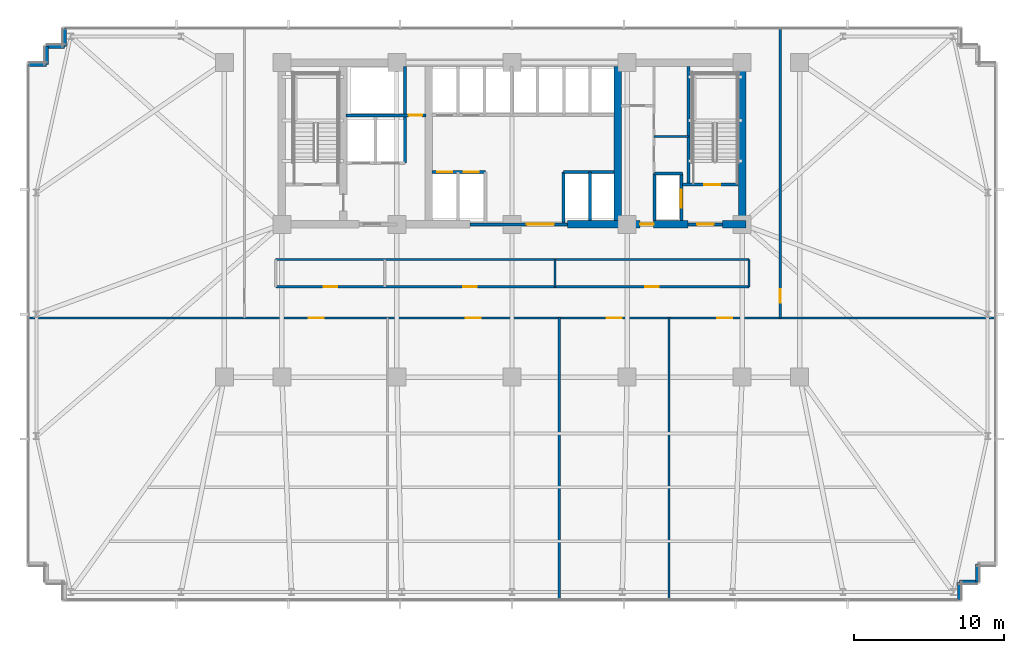
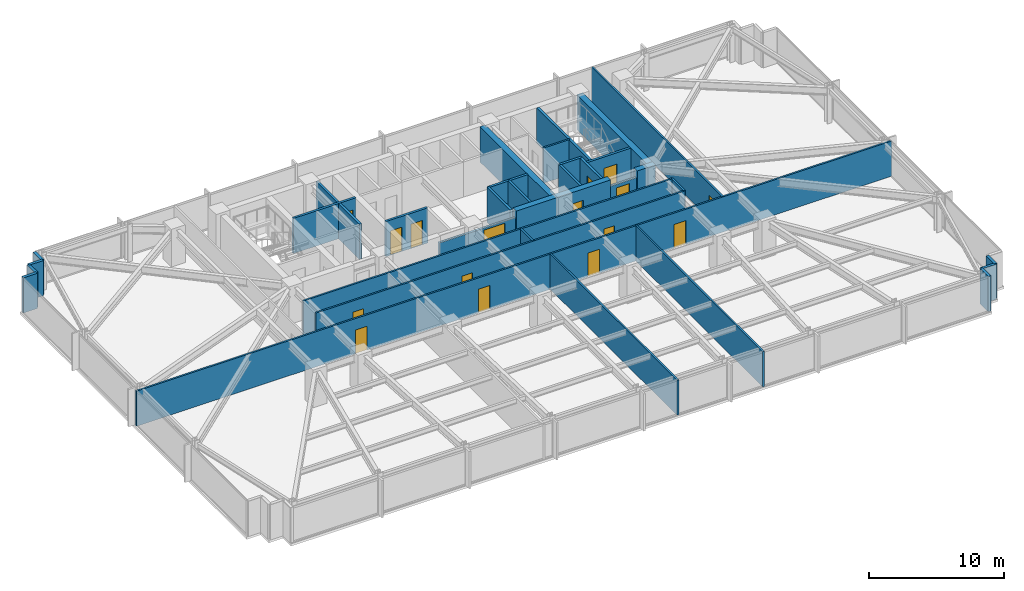
# One storey, part 25 of 32: 33 walls, 16 doors, 16 openings.
"""IFC4 building model written with IfcOpenShell, lengths in metres."""

from ifc_helpers import new_model, si_unit, direction, frame, frame_2d, origin, place, context, subcontext, project, spatial, rectangle, extrude, material, layer, layer_set, type_object, element, fill, save


model = new_model("IFC4")

# Units and contexts
model_context = context("Model", 3, precision=1e-05, world=origin(), true_north=direction((0.0, 1.0)))
body_context = subcontext(model_context, "Body", "Model", "MODEL_VIEW")
ifc_project = project(units=[si_unit("LENGTHUNIT", "METRE"), si_unit("AREAUNIT", "SQUARE_METRE"), si_unit("VOLUMEUNIT", "CUBIC_METRE"), si_unit("PLANEANGLEUNIT", "RADIAN"), si_unit("MASSUNIT", "GRAM", prefix="KILO")], contexts=[model_context])

# Site, building, storey
site_placement = place(None, origin())
site = spatial("IfcSite", under=ifc_project, at=site_placement, CompositionType="ELEMENT")
building_placement = place(site_placement, origin())
building = spatial("IfcBuilding", under=site, at=building_placement, Name="Yelkora Congress Tower", CompositionType="ELEMENT")
storey_placement = place(building_placement, frame((0.0, 0.0, 67.800048828125)))
storey = spatial("IfcBuildingStorey", under=building, at=storey_placement, Name="L17", CompositionType="ELEMENT", Elevation=67.800048828125)

# Wall
ifc_material_1 = material(Name="Concrete C50/60", Category="concrete")
ifc_layer_1 = layer(ifc_material_1, 0.219970703125)
ifc_layer_set_1 = layer_set([ifc_layer_1], Name="Concrete C50/60")
wall_type_1 = type_object("IfcWallType", Name="WALL-CORE-INT-220", PredefinedType="SHEAR", material=ifc_layer_set_1)
wall_1_placement = place(storey_placement, frame((50.179931640625, 38.050048828125, 0.0), z_axis=(0.0, 0.0, 1.0), x_axis=(0.0, 1.0, 0.0)))
element("IfcWall", 1, at=wall_1_placement, inside=storey, type_object=wall_type_1, Name="L17 ST02 West Stair Shear Wall", PredefinedType="SHEAR", context=body_context, shape_type="SweptSolid", body=[
    extrude(rectangle(XDim=7.89990234375, YDim=0.219970703125, at=frame_2d((3.949951171875, 0.0))), origin(), (0.0, 0.0, 1.0), 3.179931640625),
])

# Wall, opening, door
ifc_material_2 = material(Name="Concrete C60/75", Category="concrete")
ifc_layer_2 = layer(ifc_material_2, 0.5)
ifc_layer_set_2 = layer_set([ifc_layer_2], Name="Concrete C60/75")
wall_type_2 = type_object("IfcWallType", Name="WALL-CORE-INT-500", PredefinedType="SHEAR", material=ifc_layer_set_2)
wall_2_placement = place(storey_placement, frame((42.10009765625, 35.39990234375, 0.0), z_axis=(0.0, 0.0, 1.0), x_axis=(1.0, 0.0, 0.0)))
wall_2 = element("IfcWall", 2, at=wall_2_placement, inside=storey, type_object=wall_type_2, Name="L17 Rear Core South-East Shear Wall A", PredefinedType="SHEAR", context=body_context, shape_type="SweptSolid", body=[
    extrude(rectangle(XDim=8.0498046875, YDim=0.5, at=frame_2d((4.02490234375, 0.0))), origin(), (0.0, 0.0, 1.0), 3.179931640625),
])
opening_1_placement = place(wall_2_placement, frame((4.85009765625, 0.0, 0.0)))
opening_1 = element("IfcOpeningElement", 3, at=opening_1_placement, cuts=wall_2, Name="Opening DR-090F6", PredefinedType="OPENING", context=body_context, shape_type="SweptSolid", body=[
    extrude(rectangle(XDim=0.89990234375, YDim=2.14990234375, at=frame_2d((0.449951171875, 1.074951171875))), frame((0.0, 0.260009765625, 0.0), z_axis=(0.0, -1.0, 0.0), x_axis=(1.0, 0.0, 0.0)), (0.0, 0.0, 1.0), 0.52001953125),
])
ifc_material_3 = material(Name="Painted steel riser fire door leaf", Category="steel")
door_type_1 = type_object("IfcDoorType", Name="DOOR-FD60-900", OperationType="NOTDEFINED", PredefinedType="DOOR", material=ifc_material_3)
door_1_placement = place(opening_1_placement, origin())
door_1 = element("IfcDoor", 4, at=door_1_placement, inside=storey, type_object=door_type_1, Name="L17 Core Washroom Lobby Door", OperationType="SINGLE_SWING_RIGHT", OverallHeight=2.14990234375, OverallWidth=0.89990234375, PredefinedType="DOOR", context=body_context, shape_type="SweptSolid", body=[
    extrude(rectangle(XDim=0.89990234375, YDim=2.14990234375, at=frame_2d((0.449951171875, 1.074951171875))), frame((0.0, 0.02490234375, 0.0), z_axis=(0.0, -1.0, 0.0), x_axis=(1.0, 0.0, 0.0)), (0.0, 0.0, 1.0), 0.050048828125),
])
fill(opening_1, door_1)

# Walls
wall_3_placement = place(storey_placement, frame((52.449951171875, 35.39990234375, 0.0), z_axis=(0.0, 0.0, 1.0), x_axis=(1.0, 0.0, 0.0)))
element("IfcWall", 5, at=wall_3_placement, inside=storey, type_object=wall_type_2, Name="L17 Rear Core South-East Shear Wall B", PredefinedType="SHEAR", context=body_context, shape_type="SweptSolid", body=[
    extrude(rectangle(XDim=1.56005859375, YDim=0.5, at=frame_2d((0.780029296875, 0.0))), origin(), (0.0, 0.0, 1.0), 3.179931640625),
])
for number, where, z_axis, x_axis, name in (
    (6, (45.449951171875, 35.64990234375, 0.0), (0.0, 0.0, 1.0), (0.0, 1.0, 0.0), "L17 Rear Core Cross Shear Wall C3"),
    (7, (53.760009765625, 35.64990234375, 0.0), (0.0, 0.0, 1.0), (0.0, 1.0, 0.0), "L17 Rear Core Cross Shear Wall E"),
):
    element("IfcWall", number, at=place(storey_placement, frame(where, z_axis=z_axis, x_axis=x_axis)), inside=storey, type_object=wall_type_2, Name=name, PredefinedType="SHEAR", context=body_context, shape_type="SweptSolid", body=[
        extrude(rectangle(XDim=10.300048828125, YDim=0.5, at=frame_2d((5.14990234375, 0.0))), origin(), (0.0, 0.0, 1.0), 3.179931640625),
    ])
ifc_material_4 = material(Name="Concrete C40/50", Category="concrete")
ifc_layer_3 = layer(ifc_material_4, 0.239990234375)
ifc_layer_set_3 = layer_set([ifc_layer_3], Name="Concrete C40/50")
wall_type_3 = type_object("IfcWallType", Name="WALL-EXT-LIMESTONE-240", PredefinedType="SOLIDWALL", material=ifc_layer_set_3)
wall_4_placement = place(storey_placement, frame((6.139892578125, 46.06005859375, 0.0), z_axis=(0.0, 0.0, 1.0), x_axis=(1.0, 0.0, 0.0)))
element("IfcWall", 8, at=wall_4_placement, inside=storey, type_object=wall_type_3, Name="L17 Serrated Corner Limestone Pier 6", PredefinedType="SOLIDWALL", context=body_context, shape_type="SweptSolid", body=[
    extrude(rectangle(XDim=1.2001953125, YDim=0.239990234375, at=frame_2d((0.60009765625, 0.0))), origin(), (0.0, 0.0, 1.0), 3.179931640625),
])
for number, where, z_axis, x_axis, name in (
    (9, (7.340087890625, 46.06005859375, 0.0), (0.0, 0.0, 1.0), (0.0, 1.0, 0.0), "L17 Serrated Corner Limestone Pier 7"),
    (10, (7.340087890625, 47.260009765625, 0.0), (0.0, 0.0, 1.0), (1.0, 0.0, 0.0), "L17 Serrated Corner Limestone Pier 8"),
    (11, (8.5400390625, 47.260009765625, 0.0), (0.0, 0.0, 1.0), (0.0, 1.0, 0.0), "L17 Serrated Corner Limestone Pier 9"),
    (12, (69.4599609375, 12.739990234375, 0.0), (0.0, 0.0, 1.0), (0.0, -1.0, 0.0), "L17 Serrated Corner Limestone Pier 17"),
    (13, (69.4599609375, 11.5400390625, 0.0), (0.0, 0.0, 1.0), (-1.0, 0.0, 0.0), "L17 Serrated Corner Limestone Pier 18"),
    (14, (68.260009765625, 11.5400390625, 0.0), (0.0, 0.0, 1.0), (0.0, -1.0, 0.0), "L17 Serrated Corner Limestone Pier 19"),
):
    element("IfcWall", number, at=place(storey_placement, frame(where, z_axis=z_axis, x_axis=x_axis)), inside=storey, type_object=wall_type_3, Name=name, PredefinedType="SOLIDWALL", context=body_context, shape_type="SweptSolid", body=[
        extrude(rectangle(XDim=1.199951171875, YDim=0.239990234375, at=frame_2d((0.60009765625, 0.0))), origin(), (0.0, 0.0, 1.0), 3.179931640625),
    ])
ifc_material_5 = material(Name="Acoustic metal-stud gypsum partition", Category="gypsum")
ifc_layer_4 = layer(ifc_material_5, 0.14990234375)
ifc_layer_set_4 = layer_set([ifc_layer_4], Name="Acoustic metal-stud gypsum partition")
wall_type_4 = type_object("IfcWallType", Name="WALL-INT-150-NR", PredefinedType="PARTITIONING", material=ifc_layer_set_4)
wall_5_placement = place(storey_placement, frame((47.8798828125, 41.260009765625, 0.0), z_axis=(0.0, 0.0, 1.0), x_axis=(1.0, 0.0, 0.0)))
element("IfcWall", 15, at=wall_5_placement, inside=storey, type_object=wall_type_4, Name="L17 Partition Wall 29", PredefinedType="PARTITIONING", context=body_context, shape_type="SweptSolid", body=[
    extrude(rectangle(XDim=2.300048828125, YDim=0.14990234375, at=frame_2d((1.14990234375, 0.0))), origin(), (0.0, 0.0, 1.0), 3.179931640625),
])
for number, where, z_axis, x_axis, name in (
    (16, (41.55810546875, 10.280029296875, 0.0), (0.0, 0.0, 1.0), (0.0, 1.0, 0.0), "L17 Partition Wall 32"),
    (17, (48.883056640625, 10.280029296875, 0.0), (0.0, 0.0, 1.0), (0.0, 1.0, 0.0), "L17 Partition Wall 33"),
):
    element("IfcWall", number, at=place(storey_placement, frame(where, z_axis=z_axis, x_axis=x_axis)), inside=storey, type_object=wall_type_4, Name=name, PredefinedType="PARTITIONING", context=body_context, shape_type="SweptSolid", body=[
        extrude(rectangle(XDim=18.889892578125, YDim=0.14990234375, at=frame_2d((9.44482421875, 0.0))), origin(), (0.0, 0.0, 1.0), 3.179931640625),
    ])

# Wall, openings, doors
wall_6_placement = place(storey_placement, frame((6.080078125, 29.14990234375, 0.0), z_axis=(0.0, 0.0, 1.0), x_axis=(1.0, 0.0, 0.0)))
wall_6 = element("IfcWall", 18, at=wall_6_placement, inside=storey, type_object=wall_type_4, Name="L17 South Spine Wall", PredefinedType="PARTITIONING", context=body_context, shape_type="SweptSolid", body=[
    extrude(rectangle(XDim=64.639892578125, YDim=0.14990234375, at=frame_2d((32.31982421875, 0.0))), origin(), (0.0, 0.0, 1.0), 3.179931640625),
])
opening_2_placement = place(wall_6_placement, frame((18.740966796875, 0.0, 0.0)))
opening_2 = element("IfcOpeningElement", 19, at=opening_2_placement, cuts=wall_6, Name="Opening DR-100N", PredefinedType="OPENING", context=body_context, shape_type="SweptSolid", body=[
    extrude(rectangle(XDim=1.0, YDim=2.14990234375, at=frame_2d((0.5, 1.074951171875))), frame((0.0, 0.0849609375, 0.0), z_axis=(0.0, -1.0, 0.0), x_axis=(1.0, 0.0, 0.0)), (0.0, 0.0, 1.0), 0.169921875),
])
opening_3_placement = place(wall_6_placement, frame((29.2451171875, 0.0, 0.0)))
opening_3 = element("IfcOpeningElement", 20, at=opening_3_placement, cuts=wall_6, Name="Opening DR-100N", PredefinedType="OPENING", context=body_context, shape_type="SweptSolid", body=[
    extrude(rectangle(XDim=1.0, YDim=2.14990234375, at=frame_2d((0.5, 1.074951171875))), frame((0.0, 0.0849609375, 0.0), z_axis=(0.0, -1.0, 0.0), x_axis=(1.0, 0.0, 0.0)), (0.0, 0.0, 1.0), 0.169921875),
])
opening_4_placement = place(wall_6_placement, frame((38.640380859375, 0.0, 0.0)))
opening_4 = element("IfcOpeningElement", 21, at=opening_4_placement, cuts=wall_6, Name="Opening DR-100N", PredefinedType="OPENING", context=body_context, shape_type="SweptSolid", body=[
    extrude(rectangle(XDim=1.0, YDim=2.14990234375, at=frame_2d((0.5, 1.074951171875))), frame((0.0, 0.0849609375, 0.0), z_axis=(0.0, -1.0, 0.0), x_axis=(1.0, 0.0, 0.0)), (0.0, 0.0, 1.0), 0.169921875),
])
opening_5_placement = place(wall_6_placement, frame((46.011474609375, 0.0, 0.0)))
opening_5 = element("IfcOpeningElement", 22, at=opening_5_placement, cuts=wall_6, Name="Opening DR-100N", PredefinedType="OPENING", context=body_context, shape_type="SweptSolid", body=[
    extrude(rectangle(XDim=1.0, YDim=2.14990234375, at=frame_2d((0.5, 1.074951171875))), frame((0.0, 0.0849609375, 0.0), z_axis=(0.0, -1.0, 0.0), x_axis=(1.0, 0.0, 0.0)), (0.0, 0.0, 1.0), 0.169921875),
])
ifc_material_6 = material(Name="Solid-core Anatolian oak veneer door", Category="wood")
door_type_2 = type_object("IfcDoorType", Name="DOOR-INT-1000", OperationType="NOTDEFINED", PredefinedType="DOOR", material=ifc_material_6)
door_2_placement = place(opening_2_placement, origin())
door_2 = element("IfcDoor", 23, at=door_2_placement, inside=storey, type_object=door_type_2, Name="L17 Delegate Office Suite Door", OperationType="SINGLE_SWING_LEFT", OverallHeight=2.14990234375, OverallWidth=1.0, PredefinedType="DOOR", context=body_context, shape_type="SweptSolid", body=[
    extrude(rectangle(XDim=1.0, YDim=2.14990234375, at=frame_2d((0.5, 1.074951171875))), frame((0.0, 0.02490234375, 0.0), z_axis=(0.0, -1.0, 0.0), x_axis=(1.0, 0.0, 0.0)), (0.0, 0.0, 1.0), 0.050048828125),
])
fill(opening_2, door_2)
door_3_placement = place(opening_3_placement, origin())
door_3 = element("IfcDoor", 24, at=door_3_placement, inside=storey, type_object=door_type_2, Name="L17 Committee Meeting Room Door", OperationType="SINGLE_SWING_RIGHT", OverallHeight=2.14990234375, OverallWidth=1.0, PredefinedType="DOOR", context=body_context, shape_type="SweptSolid", body=[
    extrude(rectangle(XDim=1.0, YDim=2.14990234375, at=frame_2d((0.5, 1.074951171875))), frame((0.0, 0.02490234375, 0.0), z_axis=(0.0, -1.0, 0.0), x_axis=(1.0, 0.0, 0.0)), (0.0, 0.0, 1.0), 0.050048828125),
])
fill(opening_3, door_3)
door_4_placement = place(opening_4_placement, origin())
door_4 = element("IfcDoor", 25, at=door_4_placement, inside=storey, type_object=door_type_2, Name="L17 Committee Meeting Room Door", OperationType="SINGLE_SWING_LEFT", OverallHeight=2.14990234375, OverallWidth=1.0, PredefinedType="DOOR", context=body_context, shape_type="SweptSolid", body=[
    extrude(rectangle(XDim=1.0, YDim=2.14990234375, at=frame_2d((0.5, 1.074951171875))), frame((0.0, 0.02490234375, 0.0), z_axis=(0.0, -1.0, 0.0), x_axis=(1.0, 0.0, 0.0)), (0.0, 0.0, 1.0), 0.050048828125),
])
fill(opening_4, door_4)
door_5_placement = place(opening_5_placement, origin())
door_5 = element("IfcDoor", 26, at=door_5_placement, inside=storey, type_object=door_type_2, Name="L17 Committee Meeting Room Door", OperationType="SINGLE_SWING_RIGHT", OverallHeight=2.14990234375, OverallWidth=1.0, PredefinedType="DOOR", context=body_context, shape_type="SweptSolid", body=[
    extrude(rectangle(XDim=1.0, YDim=2.14990234375, at=frame_2d((0.5, 1.074951171875))), frame((0.0, 0.02490234375, 0.0), z_axis=(0.0, -1.0, 0.0), x_axis=(1.0, 0.0, 0.0)), (0.0, 0.0, 1.0), 0.050048828125),
])
fill(opening_5, door_5)

# Wall, opening, door
wall_7_placement = place(storey_placement, frame((56.300048828125, 29.14990234375, 0.0), z_axis=(0.0, 0.0, 1.0), x_axis=(0.0, 1.0, 0.0)))
wall_7 = element("IfcWall", 27, at=wall_7_placement, inside=storey, type_object=wall_type_4, Name="L17 Partition Wall 36", PredefinedType="PARTITIONING", context=body_context, shape_type="SweptSolid", body=[
    extrude(rectangle(XDim=19.3701171875, YDim=0.14990234375, at=frame_2d((9.68505859375, 0.0))), origin(), (0.0, 0.0, 1.0), 3.179931640625),
])
opening_6_placement = place(wall_7_placement, frame((1.030029296875, 0.0, 0.0)))
opening_6 = element("IfcOpeningElement", 28, at=opening_6_placement, cuts=wall_7, Name="Opening DR-090N", PredefinedType="OPENING", context=body_context, shape_type="SweptSolid", body=[
    extrude(rectangle(XDim=0.89990234375, YDim=2.14990234375, at=frame_2d((0.449951171875, 1.074951171875))), frame((0.0, 0.0849609375, 0.0), z_axis=(0.0, -1.0, 0.0), x_axis=(1.0, 0.0, 0.0)), (0.0, 0.0, 1.0), 0.169921875),
])
ifc_material_7 = material(Name="Moisture-resistant laminate door leaf", Category="wood")
door_type_3 = type_object("IfcDoorType", Name="DOOR-INT-900", OperationType="NOTDEFINED", PredefinedType="DOOR", material=ifc_material_7)
door_6_placement = place(opening_6_placement, origin())
door_6 = element("IfcDoor", 29, at=door_6_placement, inside=storey, type_object=door_type_3, Name="L17 E Wing Door", OperationType="SINGLE_SWING_RIGHT", OverallHeight=2.14990234375, OverallWidth=0.89990234375, PredefinedType="DOOR", context=body_context, shape_type="SweptSolid", body=[
    extrude(rectangle(XDim=0.89990234375, YDim=2.14990234375, at=frame_2d((0.449951171875, 1.074951171875))), frame((0.0, 0.02490234375, 0.0), z_axis=(0.0, -1.0, 0.0), x_axis=(1.0, 0.0, 0.0)), (0.0, 0.0, 1.0), 0.050048828125),
])
fill(opening_6, door_6)

# Walls
wall_8_placement = place(storey_placement, frame((54.219970703125, 31.22998046875, 0.0), z_axis=(0.0, 0.0, 1.0), x_axis=(0.0, 1.0, 0.0)))
element("IfcWall", 30, at=wall_8_placement, inside=storey, type_object=wall_type_4, Name="L17 Partition Wall 38", PredefinedType="PARTITIONING", context=body_context, shape_type="SweptSolid", body=[
    extrude(rectangle(XDim=1.820068359375, YDim=0.14990234375, at=frame_2d((0.91015625, 0.0))), origin(), (0.0, 0.0, 1.0), 3.179931640625),
])
wall_9_placement = place(storey_placement, frame((22.6298828125, 33.050048828125, 0.0), z_axis=(0.0, 0.0, 1.0), x_axis=(1.0, 0.0, 0.0)))
element("IfcWall", 31, at=wall_9_placement, inside=storey, type_object=wall_type_4, Name="L17 Partition Wall 39", PredefinedType="PARTITIONING", context=body_context, shape_type="SweptSolid", body=[
    extrude(rectangle(XDim=31.590087890625, YDim=0.14990234375, at=frame_2d((15.794921875, 0.0))), origin(), (0.0, 0.0, 1.0), 3.179931640625),
])
wall_10_placement = place(storey_placement, frame((41.26611328125, 31.22998046875, 0.0), z_axis=(0.0, 0.0, 1.0), x_axis=(0.0, 1.0, 0.0)))
element("IfcWall", 32, at=wall_10_placement, inside=storey, type_object=wall_type_4, Name="L17 Partition Wall 41", PredefinedType="PARTITIONING", context=body_context, shape_type="SweptSolid", body=[
    extrude(rectangle(XDim=1.820068359375, YDim=0.14990234375, at=frame_2d((0.91015625, 0.0))), origin(), (0.0, 0.0, 1.0), 3.179931640625),
])

# Wall, openings, doors
wall_11_placement = place(storey_placement, frame((22.639892578125, 31.22998046875, 0.0), z_axis=(0.0, 0.0, 1.0), x_axis=(1.0, 0.0, 0.0)))
wall_11 = element("IfcWall", 33, at=wall_11_placement, inside=storey, type_object=wall_type_4, Name="L17 Partition Wall 42", PredefinedType="PARTITIONING", context=body_context, shape_type="SweptSolid", body=[
    extrude(rectangle(XDim=31.570068359375, YDim=0.14990234375, at=frame_2d((15.78515625, 0.0))), origin(), (0.0, 0.0, 1.0), 3.179931640625),
])
opening_7_placement = place(wall_11_placement, frame((3.180419921875, 0.0, 0.0)))
opening_7 = element("IfcOpeningElement", 34, at=opening_7_placement, cuts=wall_11, Name="Opening DR-090N", PredefinedType="OPENING", context=body_context, shape_type="SweptSolid", body=[
    extrude(rectangle(XDim=0.89990234375, YDim=2.14990234375, at=frame_2d((0.449951171875, 1.074951171875))), frame((0.0, 0.0849609375, 0.0), z_axis=(0.0, -1.0, 0.0), x_axis=(1.0, 0.0, 0.0)), (0.0, 0.0, 1.0), 0.169921875),
])
opening_8_placement = place(wall_11_placement, frame((12.493408203125, 0.0, 0.0)))
opening_8 = element("IfcOpeningElement", 35, at=opening_8_placement, cuts=wall_11, Name="Opening DR-090N", PredefinedType="OPENING", context=body_context, shape_type="SweptSolid", body=[
    extrude(rectangle(XDim=0.89990234375, YDim=2.14990234375, at=frame_2d((0.449951171875, 1.074951171875))), frame((0.0, 0.0849609375, 0.0), z_axis=(0.0, -1.0, 0.0), x_axis=(1.0, 0.0, 0.0)), (0.0, 0.0, 1.0), 0.169921875),
])
opening_9_placement = place(wall_11_placement, frame((24.64794921875, 0.0, 0.0)))
opening_9 = element("IfcOpeningElement", 36, at=opening_9_placement, cuts=wall_11, Name="Opening DR-090N", PredefinedType="OPENING", context=body_context, shape_type="SweptSolid", body=[
    extrude(rectangle(XDim=0.89990234375, YDim=2.14990234375, at=frame_2d((0.449951171875, 1.074951171875))), frame((0.0, 0.0849609375, 0.0), z_axis=(0.0, -1.0, 0.0), x_axis=(1.0, 0.0, 0.0)), (0.0, 0.0, 1.0), 0.169921875),
])
door_7_placement = place(opening_7_placement, origin())
door_7 = element("IfcDoor", 37, at=door_7_placement, inside=storey, type_object=door_type_3, Name="L17 Security Control Room Door", OperationType="SINGLE_SWING_LEFT", OverallHeight=2.14990234375, OverallWidth=0.89990234375, PredefinedType="DOOR", context=body_context, shape_type="SweptSolid", body=[
    extrude(rectangle(XDim=0.89990234375, YDim=2.14990234375, at=frame_2d((0.449951171875, 1.074951171875))), frame((0.0, 0.02490234375, 0.0), z_axis=(0.0, -1.0, 0.0), x_axis=(1.0, 0.0, 0.0)), (0.0, 0.0, 1.0), 0.050048828125),
])
fill(opening_7, door_7)
door_8_placement = place(opening_8_placement, origin())
door_8 = element("IfcDoor", 38, at=door_8_placement, inside=storey, type_object=door_type_3, Name="L17 Hospitality Pantry Door", OperationType="SINGLE_SWING_RIGHT", OverallHeight=2.14990234375, OverallWidth=0.89990234375, PredefinedType="DOOR", context=body_context, shape_type="SweptSolid", body=[
    extrude(rectangle(XDim=0.89990234375, YDim=2.14990234375, at=frame_2d((0.449951171875, 1.074951171875))), frame((0.0, 0.02490234375, 0.0), z_axis=(0.0, -1.0, 0.0), x_axis=(1.0, 0.0, 0.0)), (0.0, 0.0, 1.0), 0.050048828125),
])
fill(opening_8, door_8)
door_9_placement = place(opening_9_placement, origin())
door_9 = element("IfcDoor", 39, at=door_9_placement, inside=storey, type_object=door_type_3, Name="L17 Staff Operations Room Door", OperationType="SINGLE_SWING_LEFT", OverallHeight=2.14990234375, OverallWidth=0.89990234375, PredefinedType="DOOR", context=body_context, shape_type="SweptSolid", body=[
    extrude(rectangle(XDim=0.89990234375, YDim=2.14990234375, at=frame_2d((0.449951171875, 1.074951171875))), frame((0.0, 0.02490234375, 0.0), z_axis=(0.0, -1.0, 0.0), x_axis=(1.0, 0.0, 0.0)), (0.0, 0.0, 1.0), 0.050048828125),
])
fill(opening_9, door_9)

# Wall
ifc_material_8 = material(Name="Autoclaved aerated concrete blockwork", Category="masonry")
ifc_layer_5 = layer(ifc_material_8, 0.199951171875)
ifc_layer_set_5 = layer_set([ifc_layer_5], Name="Autoclaved aerated concrete blockwork")
wall_type_5 = type_object("IfcWallType", Name="WALL-INT-200-R120", PredefinedType="PARTITIONING", material=ifc_layer_set_5)
wall_12_placement = place(storey_placement, frame((31.260009765625, 39.47998046875, 0.0), z_axis=(0.0, 0.0, 1.0), x_axis=(0.0, 1.0, 0.0)))
element("IfcWall", 40, at=wall_12_placement, inside=storey, type_object=wall_type_5, Name="L17 Partition Wall 5", PredefinedType="PARTITIONING", context=body_context, shape_type="SweptSolid", body=[
    extrude(rectangle(XDim=6.43994140625, YDim=0.199951171875, at=frame_2d((3.219970703125, 0.0))), origin(), (0.0, 0.0, 1.0), 3.179931640625),
])

# Wall, opening, door
wall_13_placement = place(storey_placement, frame((27.320068359375, 42.679931640625, 0.0), z_axis=(0.0, 0.0, 1.0), x_axis=(1.0, 0.0, 0.0)))
wall_13 = element("IfcWall", 41, at=wall_13_placement, inside=storey, type_object=wall_type_5, Name="L17 Smoke Riser South Wall", PredefinedType="PARTITIONING", context=body_context, shape_type="SweptSolid", body=[
    extrude(rectangle(XDim=5.329833984375, YDim=0.199951171875, at=frame_2d((2.6650390625, 0.0))), origin(), (0.0, 0.0, 1.0), 3.179931640625),
])
opening_10_placement = place(wall_13_placement, frame((4.179931640625, 0.0, 0.0)))
opening_10 = element("IfcOpeningElement", 42, at=opening_10_placement, cuts=wall_13, Name="Opening DR-090F6", PredefinedType="OPENING", context=body_context, shape_type="SweptSolid", body=[
    extrude(rectangle(XDim=0.89990234375, YDim=2.14990234375, at=frame_2d((0.449951171875, 1.074951171875))), frame((0.0, 0.10986328125, 0.0), z_axis=(0.0, -1.0, 0.0), x_axis=(1.0, 0.0, 0.0)), (0.0, 0.0, 1.0), 0.219970703125),
])
door_10_placement = place(opening_10_placement, origin())
door_10 = element("IfcDoor", 43, at=door_10_placement, inside=storey, type_object=door_type_1, Name="L17 Riser Access Door", OperationType="SINGLE_SWING_LEFT", OverallHeight=2.14990234375, OverallWidth=0.89990234375, PredefinedType="DOOR", context=body_context, shape_type="SweptSolid", body=[
    extrude(rectangle(XDim=0.89990234375, YDim=2.14990234375, at=frame_2d((0.449951171875, 1.074951171875))), frame((0.0, 0.02490234375, 0.0), z_axis=(0.0, -1.0, 0.0), x_axis=(1.0, 0.0, 0.0)), (0.0, 0.0, 1.0), 0.050048828125),
])
fill(opening_10, door_10)

wall_14_placement = place(storey_placement, frame((35.60009765625, 35.39990234375, 0.0), z_axis=(0.0, 0.0, 1.0), x_axis=(1.0, 0.0, 0.0)))
wall_14 = element("IfcWall", 44, at=wall_14_placement, inside=storey, type_object=wall_type_5, Name="L17 Main Lift Lobby South Portal Wall", PredefinedType="PARTITIONING", context=body_context, shape_type="SweptSolid", body=[
    extrude(rectangle(XDim=6.5, YDim=0.199951171875, at=frame_2d((3.25, 0.0))), origin(), (0.0, 0.0, 1.0), 2.474853515625),
])
opening_11_placement = place(wall_14_placement, frame((3.800048828125, 0.0, 0.0)))
opening_11 = element("IfcOpeningElement", 45, at=opening_11_placement, cuts=wall_14, Name="Opening DR-180D", PredefinedType="OPENING", context=body_context, shape_type="SweptSolid", body=[
    extrude(rectangle(XDim=1.800048828125, YDim=2.300048828125, at=frame_2d((0.89990234375, 1.14990234375))), frame((0.0, 0.10986328125, 0.0), z_axis=(0.0, -1.0, 0.0), x_axis=(1.0, 0.0, 0.0)), (0.0, 0.0, 1.0), 0.219970703125),
])
ifc_material_9 = material(Name="Acoustic double congress hall doors", Category="wood")
door_type_4 = type_object("IfcDoorType", Name="DOOR-DBL-1800", OperationType="DOUBLE_DOOR_SINGLE_SWING", PredefinedType="DOOR", material=ifc_material_9)
door_11_placement = place(opening_11_placement, origin())
door_11 = element("IfcDoor", 46, at=door_11_placement, inside=storey, type_object=door_type_4, Name="L17 Main Lift Lobby Portal Door", OperationType="DOUBLE_DOOR_SINGLE_SWING", OverallHeight=2.300048828125, OverallWidth=1.800048828125, PredefinedType="DOOR", context=body_context, shape_type="SweptSolid", body=[
    extrude(rectangle(XDim=1.800048828125, YDim=2.300048828125, at=frame_2d((0.89990234375, 1.14990234375))), frame((0.0, 0.02490234375, 0.0), z_axis=(0.0, -1.0, 0.0), x_axis=(1.0, 0.0, 0.0)), (0.0, 0.0, 1.0), 0.050048828125),
])
fill(opening_11, door_11)

# Wall, openings, doors
wall_15_placement = place(storey_placement, frame((33.050048828125, 38.89990234375, 0.0), z_axis=(0.0, 0.0, 1.0), x_axis=(1.0, 0.0, 0.0)))
wall_15 = element("IfcWall", 47, at=wall_15_placement, inside=storey, type_object=wall_type_5, Name="L17 Partition Wall 11", PredefinedType="PARTITIONING", context=body_context, shape_type="SweptSolid", body=[
    extrude(rectangle(XDim=3.570068359375, YDim=0.199951171875, at=frame_2d((1.78515625, 0.0))), origin(), (0.0, 0.0, 1.0), 3.179931640625),
])
opening_12_placement = place(wall_15_placement, frame((0.375, 0.0, 0.0)))
opening_12 = element("IfcOpeningElement", 48, at=opening_12_placement, cuts=wall_15, Name="Opening LD-PS10", PredefinedType="OPENING", context=body_context, shape_type="SweptSolid", body=[
    extrude(rectangle(XDim=1.0, YDim=2.199951171875, at=frame_2d((0.5, 1.10009765625))), frame((0.0, 0.10986328125, 0.0), z_axis=(0.0, -1.0, 0.0), x_axis=(1.0, 0.0, 0.0)), (0.0, 0.0, 1.0), 0.219970703125),
])
opening_13_placement = place(wall_15_placement, frame((2.125, 0.0, 0.0)))
opening_13 = element("IfcOpeningElement", 49, at=opening_13_placement, cuts=wall_15, Name="Opening LD-PS10", PredefinedType="OPENING", context=body_context, shape_type="SweptSolid", body=[
    extrude(rectangle(XDim=1.0, YDim=2.199951171875, at=frame_2d((0.5, 1.10009765625))), frame((0.0, 0.10986328125, 0.0), z_axis=(0.0, -1.0, 0.0), x_axis=(1.0, 0.0, 0.0)), (0.0, 0.0, 1.0), 0.219970703125),
])
ifc_material_10 = material(Name="Champagne stainless steel landing door", Category="steel")
door_type_5 = type_object("IfcDoorType", Name="DOOR-LIFT-PAS-1000", OperationType="DOUBLE_DOOR_SLIDING", PredefinedType="DOOR", material=ifc_material_10)
door_12_placement = place(opening_12_placement, origin())
door_12 = element("IfcDoor", 50, at=door_12_placement, inside=storey, type_object=door_type_5, Name="Lift Landing Door LF-P1 L17", OperationType="DOUBLE_DOOR_SLIDING", OverallHeight=2.199951171875, OverallWidth=1.0, PredefinedType="DOOR", context=body_context, shape_type="SweptSolid", body=[
    extrude(rectangle(XDim=1.0, YDim=2.199951171875, at=frame_2d((0.5, 1.10009765625))), frame((0.0, 0.02490234375, 0.0), z_axis=(0.0, -1.0, 0.0), x_axis=(1.0, 0.0, 0.0)), (0.0, 0.0, 1.0), 0.050048828125),
])
fill(opening_12, door_12)
door_13_placement = place(opening_13_placement, origin())
door_13 = element("IfcDoor", 51, at=door_13_placement, inside=storey, type_object=door_type_5, Name="Lift Landing Door LF-P2 L17", OperationType="DOUBLE_DOOR_SLIDING", OverallHeight=2.199951171875, OverallWidth=1.0, PredefinedType="DOOR", context=body_context, shape_type="SweptSolid", body=[
    extrude(rectangle(XDim=1.0, YDim=2.199951171875, at=frame_2d((0.5, 1.10009765625))), frame((0.0, 0.02490234375, 0.0), z_axis=(0.0, -1.0, 0.0), x_axis=(1.0, 0.0, 0.0)), (0.0, 0.0, 1.0), 0.050048828125),
])
fill(opening_13, door_13)

# Walls
wall_16_placement = place(storey_placement, frame((41.85009765625, 38.89990234375, 0.0), z_axis=(0.0, 0.0, 1.0), x_axis=(1.0, 0.0, 0.0)))
element("IfcWall", 52, at=wall_16_placement, inside=storey, type_object=wall_type_5, Name="L17 Partition Wall 17", PredefinedType="PARTITIONING", context=body_context, shape_type="SweptSolid", body=[
    extrude(rectangle(XDim=3.369873046875, YDim=0.199951171875, at=frame_2d((1.68505859375, 0.0))), origin(), (0.0, 0.0, 1.0), 3.179931640625),
])
wall_17_placement = place(storey_placement, frame((43.60009765625, 35.64990234375, 0.0), z_axis=(0.0, 0.0, 1.0), x_axis=(0.0, 1.0, 0.0)))
element("IfcWall", 53, at=wall_17_placement, inside=storey, type_object=wall_type_5, Name="L17 Partition Wall 19", PredefinedType="PARTITIONING", context=body_context, shape_type="SweptSolid", body=[
    extrude(rectangle(XDim=3.25, YDim=0.199951171875, at=frame_2d((1.625, 0.0))), origin(), (0.0, 0.0, 1.0), 3.179931640625),
])
wall_18_placement = place(storey_placement, frame((41.85009765625, 35.5, 0.0), z_axis=(0.0, 0.0, 1.0), x_axis=(0.0, 1.0, 0.0)))
element("IfcWall", 54, at=wall_18_placement, inside=storey, type_object=wall_type_5, Name="L17 Partition Wall 21", PredefinedType="PARTITIONING", context=body_context, shape_type="SweptSolid", body=[
    extrude(rectangle(XDim=3.39990234375, YDim=0.199951171875, at=frame_2d((1.699951171875, 0.0))), origin(), (0.0, 0.0, 1.0), 3.179931640625),
])

# Wall, opening, door
wall_19_placement = place(storey_placement, frame((49.780029296875, 38.050048828125, 0.0), z_axis=(0.0, 0.0, 1.0), x_axis=(1.0, 0.0, 0.0)))
wall_19 = element("IfcWall", 55, at=wall_19_placement, inside=storey, type_object=wall_type_5, Name="L17 Stair ST-02 Enclosure Wall", PredefinedType="PARTITIONING", context=body_context, shape_type="SweptSolid", body=[
    extrude(rectangle(XDim=3.719970703125, YDim=0.199951171875, at=frame_2d((1.85986328125, 0.0))), origin(), (0.0, 0.0, 1.0), 3.179931640625),
])
opening_14_placement = place(wall_19_placement, frame((1.436279296875, 0.0, 0.0)))
opening_14 = element("IfcOpeningElement", 56, at=opening_14_placement, cuts=wall_19, Name="Opening DR-110F9", PredefinedType="OPENING", context=body_context, shape_type="SweptSolid", body=[
    extrude(rectangle(XDim=1.10009765625, YDim=2.14990234375, at=frame_2d((0.550048828125, 1.074951171875))), frame((0.0, 0.10986328125, 0.0), z_axis=(0.0, -1.0, 0.0), x_axis=(1.0, 0.0, 0.0)), (0.0, 0.0, 1.0), 0.219970703125),
])
ifc_material_11 = material(Name="Galvanised steel fire door leaf", Category="steel")
door_type_6 = type_object("IfcDoorType", Name="DOOR-FD90-1100", OperationType="NOTDEFINED", PredefinedType="DOOR", material=ifc_material_11)
door_14_placement = place(opening_14_placement, origin())
door_14 = element("IfcDoor", 57, at=door_14_placement, inside=storey, type_object=door_type_6, Name="L17 Stair ST-02 Entry Door", OperationType="SINGLE_SWING_LEFT", OverallHeight=2.14990234375, OverallWidth=1.10009765625, PredefinedType="DOOR", context=body_context, shape_type="SweptSolid", body=[
    extrude(rectangle(XDim=1.10009765625, YDim=2.14990234375, at=frame_2d((0.550048828125, 1.074951171875))), frame((0.0, 0.02490234375, 0.0), z_axis=(0.0, -1.0, 0.0), x_axis=(1.0, 0.0, 0.0)), (0.0, 0.0, 1.0), 0.050048828125),
])
fill(opening_14, door_14)

wall_20_placement = place(storey_placement, frame((50.14990234375, 35.39990234375, 0.0), z_axis=(0.0, 0.0, 1.0), x_axis=(1.0, 0.0, 0.0)))
wall_20 = element("IfcWall", 58, at=wall_20_placement, inside=storey, type_object=wall_type_5, Name="L17 Partition Wall 24", PredefinedType="PARTITIONING", context=body_context, shape_type="SweptSolid", body=[
    extrude(rectangle(XDim=2.300048828125, YDim=0.199951171875, at=frame_2d((1.14990234375, 0.0))), origin(), (0.0, 0.0, 1.0), 2.474853515625),
])
opening_15_placement = place(wall_20_placement, frame((0.60009765625, 0.0, 0.0)))
opening_15 = element("IfcOpeningElement", 59, at=opening_15_placement, cuts=wall_20, Name="Opening DR-110F9", PredefinedType="OPENING", context=body_context, shape_type="SweptSolid", body=[
    extrude(rectangle(XDim=1.10009765625, YDim=2.14990234375, at=frame_2d((0.550048828125, 1.074951171875))), frame((0.0, 0.10986328125, 0.0), z_axis=(0.0, -1.0, 0.0), x_axis=(1.0, 0.0, 0.0)), (0.0, 0.0, 1.0), 0.219970703125),
])
door_15_placement = place(opening_15_placement, origin())
door_15 = element("IfcDoor", 60, at=door_15_placement, inside=storey, type_object=door_type_6, Name="L17 East Stair Lobby Door", OperationType="SINGLE_SWING_RIGHT", OverallHeight=2.14990234375, OverallWidth=1.10009765625, PredefinedType="DOOR", context=body_context, shape_type="SweptSolid", body=[
    extrude(rectangle(XDim=1.10009765625, YDim=2.14990234375, at=frame_2d((0.550048828125, 1.074951171875))), frame((0.0, 0.02490234375, 0.0), z_axis=(0.0, -1.0, 0.0), x_axis=(1.0, 0.0, 0.0)), (0.0, 0.0, 1.0), 0.050048828125),
])
fill(opening_15, door_15)

wall_21_placement = place(storey_placement, frame((49.699951171875, 35.64990234375, 0.0), z_axis=(0.0, 0.0, 1.0), x_axis=(0.0, 1.0, 0.0)))
wall_21 = element("IfcWall", 61, at=wall_21_placement, inside=storey, type_object=wall_type_5, Name="L17 Partition Wall 25", PredefinedType="PARTITIONING", context=body_context, shape_type="SweptSolid", body=[
    extrude(rectangle(XDim=3.150146484375, YDim=0.199951171875, at=frame_2d((1.5751953125, 0.0))), origin(), (0.0, 0.0, 1.0), 3.179931640625),
])
opening_16_placement = place(wall_21_placement, frame((0.85009765625, 0.0, 0.0)))
opening_16 = element("IfcOpeningElement", 62, at=opening_16_placement, cuts=wall_21, Name="Opening LD-SV12", PredefinedType="OPENING", context=body_context, shape_type="SweptSolid", body=[
    extrude(rectangle(XDim=1.199951171875, YDim=2.199951171875, at=frame_2d((0.60009765625, 1.10009765625))), frame((0.0, 0.10986328125, 0.0), z_axis=(0.0, -1.0, 0.0), x_axis=(1.0, 0.0, 0.0)), (0.0, 0.0, 1.0), 0.219970703125),
])
ifc_material_12 = material(Name="Heavy-duty stainless steel landing door", Category="steel")
door_type_7 = type_object("IfcDoorType", Name="DOOR-LIFT-SRV-1200", OperationType="DOUBLE_DOOR_SLIDING", PredefinedType="DOOR", material=ifc_material_12)
door_16_placement = place(opening_16_placement, origin())
door_16 = element("IfcDoor", 63, at=door_16_placement, inside=storey, type_object=door_type_7, Name="Service Lift Landing Door LF-SV1 L17", OperationType="DOUBLE_DOOR_SLIDING", OverallHeight=2.199951171875, OverallWidth=1.199951171875, PredefinedType="DOOR", context=body_context, shape_type="SweptSolid", body=[
    extrude(rectangle(XDim=1.199951171875, YDim=2.199951171875, at=frame_2d((0.60009765625, 1.10009765625))), frame((0.0, 0.02490234375, 0.0), z_axis=(0.0, -1.0, 0.0), x_axis=(1.0, 0.0, 0.0)), (0.0, 0.0, 1.0), 0.050048828125),
])
fill(opening_16, door_16)

# Walls
wall_22_placement = place(storey_placement, frame((47.919921875, 35.64990234375, 0.0), z_axis=(0.0, 0.0, 1.0), x_axis=(0.0, 1.0, 0.0)))
element("IfcWall", 64, at=wall_22_placement, inside=storey, type_object=wall_type_5, Name="L17 Partition Wall 26", PredefinedType="PARTITIONING", context=body_context, shape_type="SweptSolid", body=[
    extrude(rectangle(XDim=3.150146484375, YDim=0.199951171875, at=frame_2d((1.5751953125, 0.0))), origin(), (0.0, 0.0, 1.0), 3.179931640625),
])
wall_23_placement = place(storey_placement, frame((47.919921875, 38.800048828125, 0.0), z_axis=(0.0, 0.0, 1.0), x_axis=(1.0, 0.0, 0.0)))
element("IfcWall", 65, at=wall_23_placement, inside=storey, type_object=wall_type_5, Name="L17 Partition Wall 27", PredefinedType="PARTITIONING", context=body_context, shape_type="SweptSolid", body=[
    extrude(rectangle(XDim=1.860107421875, YDim=0.199951171875, at=frame_2d((0.93017578125, 0.0))), origin(), (0.0, 0.0, 1.0), 3.179931640625),
])

save(model, "model.ifc")
